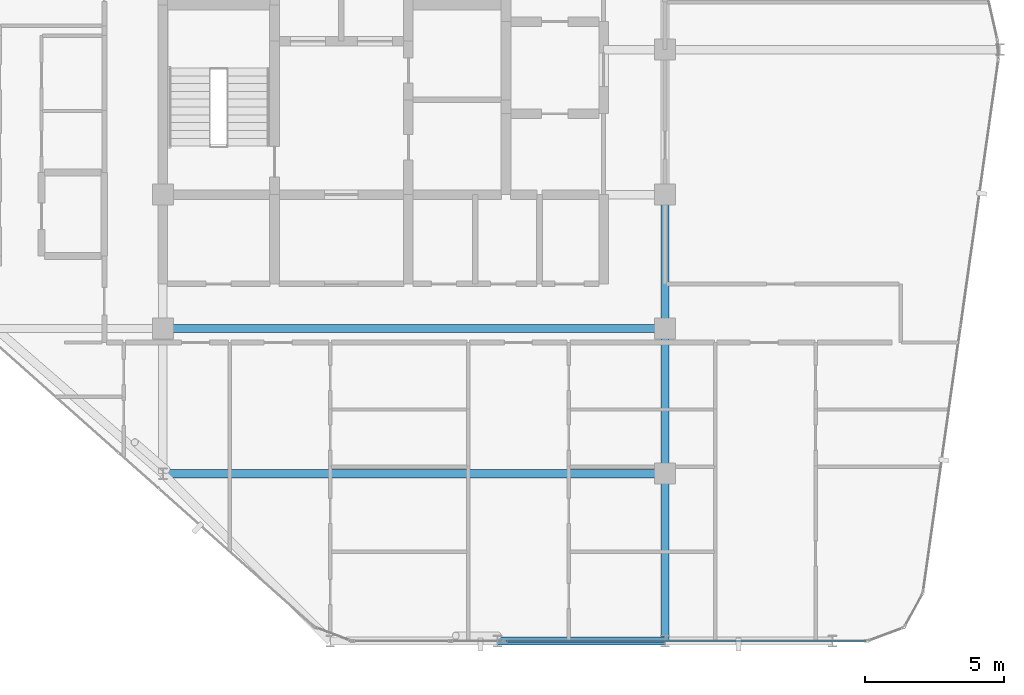
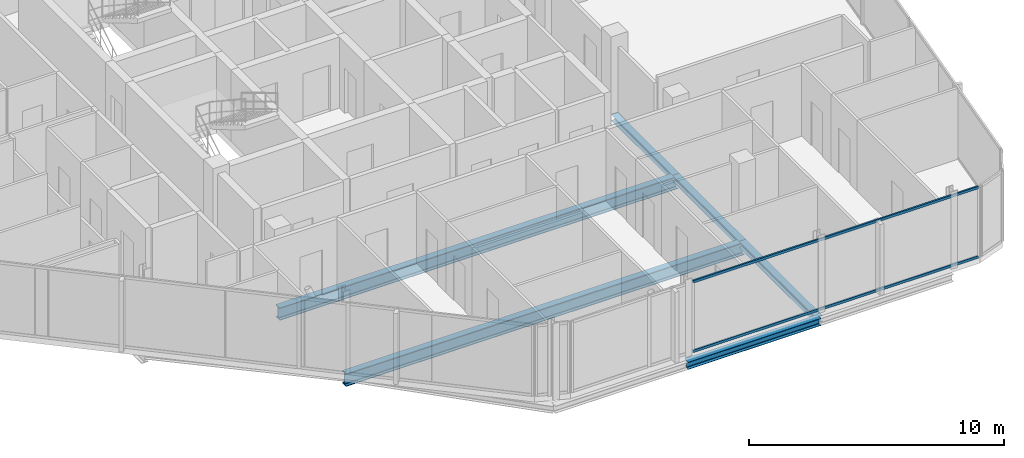
# One storey, part 7 of 28: 6 beams, 2 members, 1 element without a shape of its own.
"""IFC4 building model written with IfcOpenShell, lengths in metres."""

import ifcopenshell
import ifcopenshell.guid

model = None  # the IFC model being written
_history = None  # IfcOwnerHistory: only IFC2X3 demands one
_inside = {}  # id of a spatial element -> (the spatial element, [elements in it])
_under = {}  # id of a project, library or spatial element -> (it, [spatial elements below it])
_declared = {}  # id of a project -> (the project, [libraries it declares])
_typed = {}  # id of a type object -> (the type object, [elements of that type])
_made_of = {}  # id of a material, layer set ... -> (it, [elements and type objects made of it])


def new_model(schema):
    """Start an empty IFC model of exactly this schema.

    Asked for "IFC4X3", IfcOpenShell would pick the latest addendum, in which some entities
    have other attributes; the version numbers below select the first issue.
    IFC2X3 requires an IfcOwnerHistory on every rooted entity: one is made here for all.
    """
    global model, _history
    if schema == "IFC4X3":
        model = ifcopenshell.file(schema_version=(4, 3, 0, 0))
    else:
        model = ifcopenshell.file(schema=schema)
    _inside.clear()
    _under.clear()
    _declared.clear()
    _typed.clear()
    _made_of.clear()
    _history = None
    if model.schema == "IFC2X3":
        org = make("IfcOrganization", Name="unknown")
        user = make(
            "IfcPersonAndOrganization",
            ThePerson=make("IfcPerson", FamilyName="unknown"),
            TheOrganization=org,
        )
        app = make(
            "IfcApplication",
            ApplicationDeveloper=org,
            Version="unknown",
            ApplicationFullName="unknown",
            ApplicationIdentifier="unknown",
        )
        _history = make(
            "IfcOwnerHistory",
            OwningUser=user,
            OwningApplication=app,
            ChangeAction="ADDED",
            CreationDate=0,
        )
    return model


def make(cls, **values):
    """One entity of the class cls with the attributes given. An attribute that is None is left unset."""
    return model.create_entity(
        cls, **{name: value for name, value in values.items() if value is not None}
    )


def rooted(cls, **values):
    """An entity with a GlobalId (a new one), such as an element, a storey or a relation."""
    return make(cls, GlobalId=ifcopenshell.guid.new(), OwnerHistory=_history, **values)


def si_unit(unit_type, name, prefix=None):
    """IfcSIUnit, for example si_unit("LENGTHUNIT", "METRE", prefix="MILLI")."""
    return make("IfcSIUnit", UnitType=unit_type, Prefix=prefix, Name=name)


def assignment(units):
    """IfcUnitAssignment: the units of a project."""
    return None if units is None else make("IfcUnitAssignment", Units=units)


def point(xyz):
    """IfcCartesianPoint."""
    return None if xyz is None else make("IfcCartesianPoint", Coordinates=xyz)


def direction(xyz):
    """IfcDirection."""
    return None if xyz is None else make("IfcDirection", DirectionRatios=xyz)


def frame(location, z_axis=None, x_axis=None):
    """IfcAxis2Placement3D, a coordinate frame: its origin and axes. An axis left out is left unset."""
    return make(
        "IfcAxis2Placement3D",
        Location=point(location),
        Axis=direction(z_axis),
        RefDirection=direction(x_axis),
    )


def frame_2d(location, x_axis=None):
    """IfcAxis2Placement2D, a coordinate frame in the plane: its origin and x axis."""
    return make(
        "IfcAxis2Placement2D", Location=point(location), RefDirection=direction(x_axis)
    )


def origin():
    """The frame at (0, 0, 0) with its axes left unset."""
    return frame((0.0, 0.0, 0.0))


def origin_2d():
    """The frame at (0, 0) in the plane with its x axis left unset."""
    return frame_2d((0.0, 0.0))


def place(relative_to, where):
    """IfcLocalPlacement: puts the frame where relative to a parent placement (None: the world)."""
    return make(
        "IfcLocalPlacement", PlacementRelTo=relative_to, RelativePlacement=where
    )


def context(
    kind, dimensions, precision=None, world=None, true_north=None, identifier=None
):
    """IfcGeometricRepresentationContext, for example the 3D "Model" context."""
    return make(
        "IfcGeometricRepresentationContext",
        ContextIdentifier=identifier,
        ContextType=kind,
        CoordinateSpaceDimension=dimensions,
        Precision=precision,
        WorldCoordinateSystem=world,
        TrueNorth=true_north,
    )


def subcontext(parent, identifier, kind, view, scale=None):
    """IfcGeometricRepresentationSubContext, for example "Body" below "Model"."""
    return make(
        "IfcGeometricRepresentationSubContext",
        ContextIdentifier=identifier,
        ContextType=kind,
        ParentContext=parent,
        TargetScale=scale,
        TargetView=view,
    )


def project(units=None, contexts=None):
    """IfcProject with its units and contexts."""
    return rooted(
        "IfcProject",
        Name="project",
        RepresentationContexts=contexts,
        UnitsInContext=assignment(units),
    )


def spatial(cls, under=None, at=None, **own):
    """A site, building, storey or space (cls), placed at a placement, below another one or the project."""
    s = rooted(cls, ObjectPlacement=at, **own)
    if under is not None:
        _under.setdefault(under.id(), (under, []))[1].append(s)
    return s


def profile(cls, at=None, kind="AREA", **sizes):
    """A parametric profile (cls). Its sizes go by their IFC names, for example OverallWidth=200.0."""
    return make(cls, ProfileType=kind, Position=at, **sizes)


def hollow_rectangle(**sizes):
    """IfcRectangleHollowProfileDef."""
    return profile("IfcRectangleHollowProfileDef", **sizes)


def i_section(**sizes):
    """IfcIShapeProfileDef."""
    return profile("IfcIShapeProfileDef", **sizes)


def extrude(swept, where, along, depth):
    """IfcExtrudedAreaSolid: the profile swept, set in the frame where, extruded along a direction by depth."""
    return make(
        "IfcExtrudedAreaSolid",
        SweptArea=swept,
        Position=where,
        ExtrudedDirection=direction(along),
        Depth=depth,
    )


def shape(context_of_items, identifier, shape_type, items):
    """IfcShapeRepresentation: the items that make up one representation, for example the "Body"."""
    return make(
        "IfcShapeRepresentation",
        ContextOfItems=context_of_items,
        RepresentationIdentifier=identifier,
        RepresentationType=shape_type,
        Items=items,
    )


def material(Name=None, Category=None):
    """IfcMaterial."""
    return make("IfcMaterial", Name=Name, Category=Category)


def layer(
    of_material, thickness, ventilated=None, Name=None, Category=None, Priority=None
):
    """IfcMaterialLayer: one layer of a wall or slab, of a material (None: an air gap)."""
    return make(
        "IfcMaterialLayer",
        Material=of_material,
        LayerThickness=thickness,
        IsVentilated=ventilated,
        Name=Name,
        Category=Category,
        Priority=Priority,
    )


def layer_set(layers, Name=None):
    """IfcMaterialLayerSet."""
    return make("IfcMaterialLayerSet", MaterialLayers=layers, LayerSetName=Name)


def material_profile(
    of_material, cross_section, Name=None, Category=None, Priority=None
):
    """IfcMaterialProfile: a cross section and its material."""
    return make(
        "IfcMaterialProfile",
        Name=Name,
        Material=of_material,
        Profile=cross_section,
        Priority=Priority,
        Category=Category,
    )


def profile_set(profiles, Name=None, composite=None):
    """IfcMaterialProfileSet."""
    return make(
        "IfcMaterialProfileSet",
        Name=Name,
        MaterialProfiles=profiles,
        CompositeProfile=composite,
    )


def made_of(thing, what):
    """Note that an element or type object is made of a material, layer set ...; save() writes the relation."""
    if what is not None:
        _made_of.setdefault(what.id(), (what, []))[1].append(thing)
    return thing


def type_object(cls, material=None, **own):
    """A type object (cls), such as IfcWallType, which elements share."""
    return made_of(rooted(cls, **own), material)


def element(
    cls,
    number,
    at=None,
    inside=None,
    cuts=None,
    type_object=None,
    material=None,
    context=None,
    identifier="Body",
    shape_type=None,
    held_by="IfcProductDefinitionShape",
    body=None,
    shapes=None,
    **own,
):
    """One element of the class cls, such as IfcWall. Its Tag is "e" and its number.

    at: its placement. inside: the storey or other place that contains it. cuts: it is an
    opening in that element (IfcRelVoidsElement). A single representation is given by context,
    identifier, shape_type and body (its items); several are given by shapes. held_by: the class
    of the entity that holds the representations. save() writes the other relations.
    """
    e = rooted(cls, Tag="e%d" % number, ObjectPlacement=at, **own)
    if body is not None:
        shapes = [shape(context, identifier, shape_type, body)]
    if shapes is not None:
        e.Representation = make(held_by, Representations=shapes)
    if inside is not None:
        _inside.setdefault(inside.id(), (inside, []))[1].append(e)
    if cuts is not None:
        rooted(
            "IfcRelVoidsElement", RelatingBuildingElement=cuts, RelatedOpeningElement=e
        )
    if type_object is not None:
        _typed.setdefault(type_object.id(), (type_object, []))[1].append(e)
    return made_of(e, material)


def aggregate(whole, parts):
    """IfcRelAggregates: a whole, such as a stair, and the parts it consists of."""
    return rooted("IfcRelAggregates", RelatingObject=whole, RelatedObjects=parts)


def save(model, path):
    """Write the relations noted so far, then the file.

    IfcRelAggregates (storeys below a building ...), IfcRelContainedInSpatialStructure (elements
    in a storey), IfcRelDefinesByType, IfcRelAssociatesMaterial and IfcRelDeclares: one each for
    every whole, place, type object, material and project.
    """
    for whole, parts in _under.values():
        aggregate(whole, parts)
    for where, things in _inside.values():
        rooted(
            "IfcRelContainedInSpatialStructure",
            RelatedElements=things,
            RelatingStructure=where,
        )
    for kind, things in _typed.values():
        rooted("IfcRelDefinesByType", RelatedObjects=things, RelatingType=kind)
    for what, things in _made_of.values():
        rooted("IfcRelAssociatesMaterial", RelatedObjects=things, RelatingMaterial=what)
    for by, libraries in _declared.values():
        rooted("IfcRelDeclares", RelatingContext=by, RelatedDefinitions=libraries)
    model.write(path)


model = new_model("IFC4")

# Units and contexts
model_context = context("Model", 3, precision=1e-05, world=origin(), true_north=direction((0.0, 1.0)))
body_context = subcontext(model_context, "Body", "Model", "MODEL_VIEW")
ifc_project = project(units=[si_unit("LENGTHUNIT", "METRE"), si_unit("AREAUNIT", "SQUARE_METRE"), si_unit("VOLUMEUNIT", "CUBIC_METRE"), si_unit("PLANEANGLEUNIT", "RADIAN"), si_unit("MASSUNIT", "GRAM", prefix="KILO")], contexts=[model_context])

# Site, building, storey
site_placement = place(None, origin())
site = spatial("IfcSite", under=ifc_project, at=site_placement, CompositionType="ELEMENT")
building_placement = place(site_placement, origin())
building = spatial("IfcBuilding", under=site, at=building_placement, Name="Keshet Zoharim Tower", CompositionType="ELEMENT")
storey_placement = place(building_placement, frame((0.0, 0.0, 258.39990234375)))
storey = spatial("IfcBuildingStorey", under=building, at=storey_placement, Name="L64", CompositionType="ELEMENT", Elevation=258.39990234375)

# Beams
ifc_material_1 = material(Name="Steel S355", Category="steel")
ifc_material_profile_1 = material_profile(ifc_material_1, i_section(OverallWidth=0.300048828125, OverallDepth=0.60009765625, WebThickness=0.015380859375, FlangeThickness=0.030029296875, FilletRadius=0.027099609375, at=origin_2d()), Name="HEB600")
ifc_profile_set_1 = profile_set([ifc_material_profile_1], Name="Steel S355")
beam_type_1 = type_object("IfcBeamType", Name="BM-LNG-HB600", PredefinedType="BEAM", material=ifc_profile_set_1)
for number, where, z_axis, x_axis, name in (
    (1, (15.0, 12.699951171875, -0.60986328125), (1.0, 0.0, 0.0), (0.0, 1.0, 0.0), "L64 Primary Girder X-004"),
    (2, (15.0, 17.89990234375, -0.60986328125), (1.0, 0.0, 0.0), (0.0, 1.0, 0.0), "L64 Primary Girder X-006"),
):
    element("IfcBeam", number, at=place(storey_placement, frame(where, z_axis=z_axis, x_axis=x_axis)), inside=storey, type_object=beam_type_1, Name=name, PredefinedType="BEAM", context=body_context, shape_type="SweptSolid", body=[
        extrude(i_section(OverallWidth=0.300048828125, OverallDepth=0.60009765625, WebThickness=0.015380859375, FlangeThickness=0.030029296875, FilletRadius=0.027099609375, at=origin_2d()), origin(), (0.0, 0.0, 1.0), 18.0),
    ])
ifc_material_profile_2 = material_profile(ifc_material_1, i_section(OverallWidth=0.300048828125, OverallDepth=0.2900390625, WebThickness=0.008544921875, FlangeThickness=0.013916015625, FilletRadius=0.027099609375, at=origin_2d()), Name="HEA300")
ifc_profile_set_2 = profile_set([ifc_material_profile_2], Name="Steel S355")
beam_type_2 = type_object("IfcBeamType", Name="BM-PRI-HA300", PredefinedType="BEAM", material=ifc_profile_set_2)
beam_1_placement = place(storey_placement, frame((33.0, 6.699951171875, -0.454833984375), z_axis=(0.0, 1.0, 0.0), x_axis=(-1.0, 0.0, 0.0)))
element("IfcBeam", 3, at=beam_1_placement, inside=storey, type_object=beam_type_2, Name="L64 Primary Girder Y-004", PredefinedType="BEAM", context=body_context, shape_type="SweptSolid", body=[
    extrude(i_section(OverallWidth=0.300048828125, OverallDepth=0.2900390625, WebThickness=0.008544921875, FlangeThickness=0.013916015625, FilletRadius=0.027099609375, at=origin_2d()), origin(), (0.0, 0.0, 1.0), 6.0),
])
beam_2_placement = place(storey_placement, frame((33.0, 12.699951171875, -0.454833984375), z_axis=(0.0, 1.0, 0.0), x_axis=(-1.0, 0.0, 0.0)))
element("IfcBeam", 4, at=beam_2_placement, inside=storey, type_object=beam_type_2, Name="L64 Primary Girder Y-005", PredefinedType="BEAM", context=body_context, shape_type="SweptSolid", body=[
    extrude(i_section(OverallWidth=0.300048828125, OverallDepth=0.2900390625, WebThickness=0.008544921875, FlangeThickness=0.013916015625, FilletRadius=0.027099609375, at=origin_2d()), origin(), (0.0, 0.0, 1.0), 5.199951171875),
])
beam_3_placement = place(storey_placement, frame((33.0, 17.89990234375, -0.454833984375), z_axis=(0.0, 1.0, 0.0), x_axis=(-1.0, 0.0, 0.0)))
element("IfcBeam", 5, at=beam_3_placement, inside=storey, type_object=beam_type_2, Name="L64 Primary Girder Y-006", PredefinedType="BEAM", context=body_context, shape_type="SweptSolid", body=[
    extrude(i_section(OverallWidth=0.300048828125, OverallDepth=0.2900390625, WebThickness=0.008544921875, FlangeThickness=0.013916015625, FilletRadius=0.027099609375, at=origin_2d()), origin(), (0.0, 0.0, 1.0), 4.800048828125),
])
ifc_material_profile_3 = material_profile(ifc_material_1, i_section(OverallWidth=0.300048828125, OverallDepth=0.35009765625, WebThickness=0.010009765625, FlangeThickness=0.017578125, FilletRadius=0.027099609375, at=origin_2d()), Name="HEA360")
ifc_profile_set_3 = profile_set([ifc_material_profile_3], Name="Steel S355")
beam_type_3 = type_object("IfcBeamType", Name="BM-PRI-HA360", PredefinedType="BEAM", material=ifc_profile_set_3)
beam_4_placement = place(storey_placement, frame((27.0, 6.699951171875, -0.48486328125), z_axis=(1.0, 0.0, 0.0), x_axis=(0.0, 1.0, 0.0)))
element("IfcBeam", 6, at=beam_4_placement, inside=storey, type_object=beam_type_3, Name="L64 Primary Girder X-002", PredefinedType="BEAM", context=body_context, shape_type="SweptSolid", body=[
    extrude(i_section(OverallWidth=0.300048828125, OverallDepth=0.35009765625, WebThickness=0.010009765625, FlangeThickness=0.017578125, FilletRadius=0.027099609375, at=origin_2d()), origin(), (0.0, 0.0, 1.0), 6.0),
])

# Curtain wall, members
ifc_material_2 = material(Name="Aluminium 6063-T6", Category="aluminium")
ifc_layer = layer(ifc_material_2, 0.260009765625)
ifc_layer_set = layer_set([ifc_layer], Name="Aluminium 6063-T6")
curtain_wall_type = type_object("IfcCurtainWallType", Name="CW-SYS-06", PredefinedType="NOTDEFINED", material=ifc_layer_set)
curtain_wall_placement = place(storey_placement, origin())
curtain_wall = element("IfcCurtainWall", 7, at=curtain_wall_placement, inside=storey, type_object=curtain_wall_type, Name="L64 Unitised Curtain Wall 14", PredefinedType="NOTDEFINED")
ifc_material_profile_4 = material_profile(ifc_material_2, hollow_rectangle(XDim=0.074951171875, YDim=0.1201171875, WallThickness=0.00390625, at=origin_2d()), Name="TRN-75x120")
ifc_profile_set_4 = profile_set([ifc_material_profile_4], Name="Aluminium 6063-T6")
member_type = type_object("IfcMemberType", Name="CWT-T12", PredefinedType="USERDEFINED", material=ifc_profile_set_4)
member_1_placement = place(storey_placement, frame((40.193115234375, 6.699951171875, 0.03515625), z_axis=(-1.0, 0.0, 0.0), x_axis=(0.0, -1.0, 0.0)))
member_1 = element("IfcMember", 8, at=member_1_placement, type_object=member_type, Name="CW-06 transom 1.1", ObjectType="TRANSOM", PredefinedType="USERDEFINED", context=body_context, shape_type="SweptSolid", body=[
    extrude(hollow_rectangle(XDim=0.074951171875, YDim=0.1201171875, WallThickness=0.00390625, at=origin_2d()), origin(), (0.0, 0.0, 1.0), 12.898193359375),
])
member_2_placement = place(storey_placement, frame((40.193115234375, 6.699951171875, 3.35498046875), z_axis=(-1.0, 0.0, 0.0), x_axis=(0.0, -1.0, 0.0)))
member_2 = element("IfcMember", 9, at=member_2_placement, type_object=member_type, Name="CW-06 transom 1.2", ObjectType="TRANSOM", PredefinedType="USERDEFINED", context=body_context, shape_type="SweptSolid", body=[
    extrude(hollow_rectangle(XDim=0.074951171875, YDim=0.1201171875, WallThickness=0.00390625, at=origin_2d()), origin(), (0.0, 0.0, 1.0), 12.898193359375),
])
aggregate(curtain_wall, [member_1, member_2])

save(model, "model.ifc")
